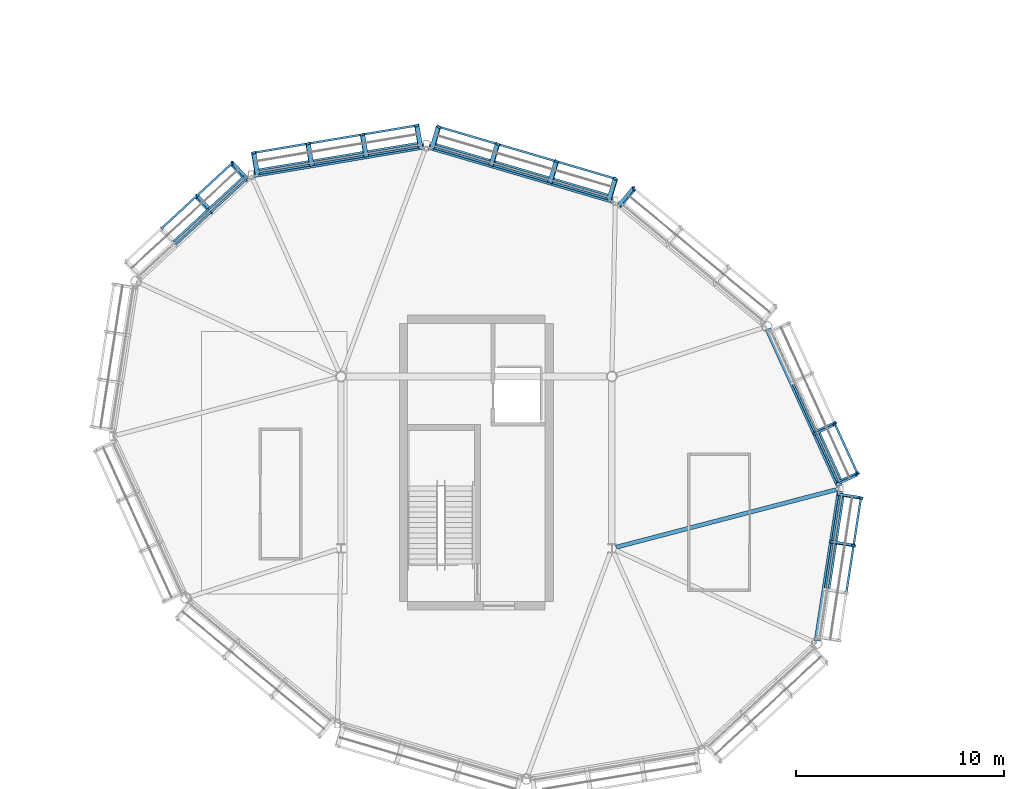
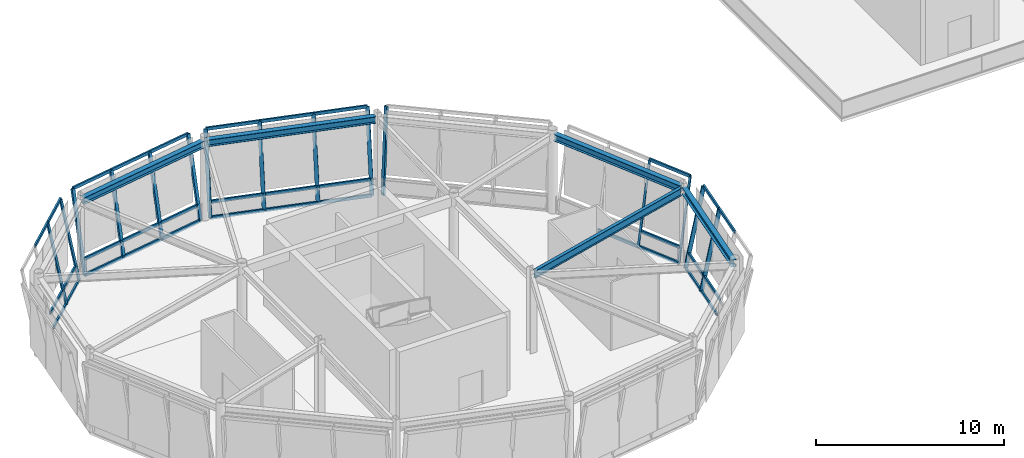
# One storey, part 45 of 90: 49 members, 5 beams, 6 elements without a shape of their own.
"""IFC4 building model written with IfcOpenShell, lengths in metres."""

from ifc_helpers import new_model, si_unit, direction, frame, origin, origin_2d, place, context, subcontext, project, spatial, hollow_rectangle, i_section, extrude, material, material_profile, profile_set, type_object, element, aggregate, save


model = new_model("IFC4")

# Units and contexts
model_context = context("Model", 3, precision=1e-05, world=origin(), true_north=direction((0.0, 1.0)))
body_context = subcontext(model_context, "Body", "Model", "MODEL_VIEW")
ifc_project = project(units=[si_unit("LENGTHUNIT", "METRE"), si_unit("AREAUNIT", "SQUARE_METRE"), si_unit("VOLUMEUNIT", "CUBIC_METRE"), si_unit("PLANEANGLEUNIT", "RADIAN"), si_unit("MASSUNIT", "GRAM", prefix="KILO")], contexts=[model_context])

# Site, building, storey
site_placement = place(None, origin())
site = spatial("IfcSite", under=ifc_project, at=site_placement, CompositionType="ELEMENT")
building_placement = place(site_placement, origin())
building = spatial("IfcBuilding", under=site, at=building_placement, Name="Linyun Crest Stadium", CompositionType="ELEMENT")
storey_placement = place(building_placement, frame((0.0, 0.0, 21.0)))
storey = spatial("IfcBuildingStorey", under=building, at=storey_placement, Name="L05", CompositionType="ELEMENT", Elevation=21.0)

# Beams
ifc_material_1 = material(Name="Steel Q355C", Category="steel")
ifc_material_profile_1 = material_profile(ifc_material_1, i_section(OverallWidth=0.300048828125, OverallDepth=0.43994140625, WebThickness=0.010986328125, FlangeThickness=0.01806640625, at=origin_2d()), Name="HM 440x300")
ifc_profile_set_1 = profile_set([ifc_material_profile_1], Name="Steel Q355C")
beam_type_1 = type_object("IfcBeamType", Name="B07", PredefinedType="BEAM", material=ifc_profile_set_1)
beam_1_placement = place(storey_placement, frame((-57.14697265625, 76.05908203125, 4.929931640625), z_axis=(0.152213453027, 0.988347643655, 0.0), x_axis=(-0.988347643655, 0.152213453027, 0.0)))
element("IfcBeam", 1, at=beam_1_placement, inside=storey, type_object=beam_type_1, Name="Pod ring girder B07 L05 49", PredefinedType="BEAM", context=body_context, shape_type="SweptSolid", body=[
    extrude(i_section(OverallWidth=0.300048828125, OverallDepth=0.43994140625, WebThickness=0.010986328125, FlangeThickness=0.01806640625, at=origin_2d()), origin(), (0.0, 0.0, 1.0), 7.278564453125),
])
beam_2_placement = place(storey_placement, frame((-56.071044921875, 83.48095703125, 4.929931640625), z_axis=(-0.41441702614, 0.910087099373, 0.0), x_axis=(-0.910087099373, -0.41441702614, 0.0)))
element("IfcBeam", 2, at=beam_2_placement, inside=storey, type_object=beam_type_1, Name="Pod ring girder B07 L05 51", PredefinedType="BEAM", context=body_context, shape_type="SweptSolid", body=[
    extrude(i_section(OverallWidth=0.300048828125, OverallDepth=0.43994140625, WebThickness=0.010986328125, FlangeThickness=0.01806640625, at=origin_2d()), origin(), (0.0, 0.0, 1.0), 8.2958984375),
])
beam_3_placement = place(storey_placement, frame((-66.948974609375, 97.197021484375, 4.929931640625), z_axis=(-0.959427571735, 0.281955199623, 0.0), x_axis=(-0.281955199623, -0.959427571735, 0.0)))
element("IfcBeam", 3, at=beam_3_placement, inside=storey, type_object=beam_type_1, Name="Pod ring girder B07 L05 55", PredefinedType="BEAM", context=body_context, shape_type="SweptSolid", body=[
    extrude(i_section(OverallWidth=0.300048828125, OverallDepth=0.43994140625, WebThickness=0.010986328125, FlangeThickness=0.01806640625, at=origin_2d()), origin(), (0.0, 0.0, 1.0), 9.203369140625),
])
beam_4_placement = place(storey_placement, frame((-76.011962890625, 99.805908203125, 4.929931640625), z_axis=(-0.986275969976, -0.165105151487, 0.0), x_axis=(0.165105151487, -0.986275969976, 0.0)))
element("IfcBeam", 4, at=beam_4_placement, inside=storey, type_object=beam_type_1, Name="Pod ring girder B07 L05 57", PredefinedType="BEAM", context=body_context, shape_type="SweptSolid", body=[
    extrude(i_section(OverallWidth=0.300048828125, OverallDepth=0.43994140625, WebThickness=0.010986328125, FlangeThickness=0.01806640625, at=origin_2d()), origin(), (0.0, 0.0, 1.0), 8.296875),
])
ifc_material_2 = material(Name="Steel Q355C", Category="steel")
ifc_material_profile_2 = material_profile(ifc_material_2, i_section(OverallWidth=0.199951171875, OverallDepth=0.5, WebThickness=0.010009765625, FlangeThickness=0.01611328125, at=origin_2d()), Name="HN 500x200")
ifc_profile_set_2 = profile_set([ifc_material_profile_2], Name="Steel Q355C")
beam_type_2 = type_object("IfcBeamType", Name="B10", PredefinedType="BEAM", material=ifc_profile_set_2)
beam_5_placement = place(storey_placement, frame((-66.806884765625, 80.551025390625, 4.89990234375), z_axis=(0.967466930693, 0.252997505948, 0.0), x_axis=(-0.252997505948, 0.967466930693, 0.0)))
element("IfcBeam", 5, at=beam_5_placement, inside=storey, type_object=beam_type_2, Name="Pod radial tie girder B10 L05 52", PredefinedType="BEAM", context=body_context, shape_type="SweptSolid", body=[
    extrude(i_section(OverallWidth=0.199951171875, OverallDepth=0.5, WebThickness=0.010009765625, FlangeThickness=0.01611328125, at=origin_2d()), origin(), (0.0, 0.0, 1.0), 10.928466796875),
])

# Curtain wall, members
ifc_material_3 = material(Name="Verdigris steel and low-E curtain wall assembly", Category="steel")
curtain_wall_type = type_object("IfcCurtainWallType", Name="MCW04", PredefinedType="NOTDEFINED", material=ifc_material_3)
curtain_wall_1_placement = place(storey_placement, origin())
curtain_wall_1 = element("IfcCurtainWall", 6, at=curtain_wall_1_placement, inside=storey, type_object=curtain_wall_type, Name="CWR-013", PredefinedType="NOTDEFINED")
ifc_material_4 = material(Name="Verdigris painted steel Q355C pod mullion", Category="steel")
ifc_material_profile_3 = material_profile(ifc_material_4, hollow_rectangle(XDim=0.1201171875, YDim=0.219970703125, WallThickness=0.008056640625, at=origin_2d()), Name="RHS 220x120x8")
ifc_profile_set_3 = profile_set([ifc_material_profile_3], Name="Verdigris painted steel Q355C pod mullion")
member_type_1 = type_object("IfcMemberType", Name="ML04", PredefinedType="MULLION", material=ifc_profile_set_3)
member_1_placement = place(storey_placement, frame((-56.41796875, 80.7958984375, 0.0), z_axis=(0.197152779984, -0.03040029677, 0.979901323247), x_axis=(-0.297946662121, -0.954100050656, 0.030346002532)))
member_1 = element("IfcMember", 7, at=member_1_placement, type_object=member_type_1, Name="CWR-013 mullion 3", PredefinedType="MULLION", context=body_context, shape_type="SweptSolid", body=[
    extrude(hollow_rectangle(XDim=0.1201171875, YDim=0.219970703125, WallThickness=0.008056640625, at=origin_2d()), origin(), (0.0, 0.0, 1.0), 5.163818359375),
])
member_2_placement = place(storey_placement, frame((-56.06689453125, 83.074951171875, 0.0), z_axis=(0.196925558343, -0.030401712849, 0.97994696812), x_axis=(-0.298126026527, -0.954045105123, 0.030311873873)))
member_2 = element("IfcMember", 8, at=member_2_placement, type_object=member_type_1, Name="CWR-013 mullion 4", PredefinedType="MULLION", context=body_context, shape_type="SweptSolid", body=[
    extrude(hollow_rectangle(XDim=0.1201171875, YDim=0.219970703125, WallThickness=0.008056640625, at=origin_2d()), origin(), (0.0, 0.0, 1.0), 5.16357421875),
])

curtain_wall_2_placement = place(storey_placement, origin())
curtain_wall_2 = element("IfcCurtainWall", 9, at=curtain_wall_2_placement, inside=storey, type_object=curtain_wall_type, Name="CWR-014", PredefinedType="NOTDEFINED")
member_3_placement = place(storey_placement, frame((-56.14501953125, 83.64501953125, 0.0), z_axis=(0.181458861331, 0.08269190945, 0.979915674819), x_axis=(0.747008040281, -0.659655798184, -0.082663266794)))
member_3 = element("IfcMember", 10, at=member_3_placement, type_object=member_type_1, Name="CWR-014 mullion 1", PredefinedType="MULLION", context=body_context, shape_type="SweptSolid", body=[
    extrude(hollow_rectangle(XDim=0.1201171875, YDim=0.219970703125, WallThickness=0.008056640625, at=origin_2d()), origin(), (0.0, 0.0, 1.0), 5.163818359375),
])
member_4_placement = place(storey_placement, frame((-57.241943359375, 86.052001953125, 0.0), z_axis=(0.181458861331, 0.08269190945, 0.979915674819), x_axis=(0.747008040281, -0.659655798184, -0.082663266794)))
member_4 = element("IfcMember", 11, at=member_4_placement, type_object=member_type_1, Name="CWR-014 mullion 2", PredefinedType="MULLION", context=body_context, shape_type="SweptSolid", body=[
    extrude(hollow_rectangle(XDim=0.1201171875, YDim=0.219970703125, WallThickness=0.008056640625, at=origin_2d()), origin(), (0.0, 0.0, 1.0), 5.163818359375),
])

# Curtain wall, member
curtain_wall_3_placement = place(storey_placement, origin())
curtain_wall_3 = element("IfcCurtainWall", 12, at=curtain_wall_3_placement, inside=storey, type_object=curtain_wall_type, Name="CWR-015", PredefinedType="NOTDEFINED")
member_5_placement = place(storey_placement, frame((-66.60302734375, 96.971923828125, 0.0), z_axis=(0.127228985463, 0.153563636115, 0.979913769125), x_axis=(0.972618583127, 0.174402528684, -0.153612661409)))
member_5 = element("IfcMember", 13, at=member_5_placement, type_object=member_type_1, Name="CWR-015 mullion 4", PredefinedType="MULLION", context=body_context, shape_type="SweptSolid", body=[
    extrude(hollow_rectangle(XDim=0.1201171875, YDim=0.219970703125, WallThickness=0.008056640625, at=origin_2d()), origin(), (0.0, 0.0, 1.0), 5.163818359375),
])
aggregate(curtain_wall_3, [member_5])

# Curtain wall, members
curtain_wall_4_placement = place(storey_placement, origin())
curtain_wall_4 = element("IfcCurtainWall", 14, at=curtain_wall_4_placement, inside=storey, type_object=curtain_wall_type, Name="CWR-016", PredefinedType="NOTDEFINED")
member_6_placement = place(storey_placement, frame((-67.1220703125, 97.248046875, 0.0), z_axis=(0.056168070102, 0.191340218605, 0.979915337488), x_axis=(0.535394875779, 0.822647487716, -0.191320249697)))
member_6 = element("IfcMember", 15, at=member_6_placement, type_object=member_type_1, Name="CWR-016 mullion 1", PredefinedType="MULLION", context=body_context, shape_type="SweptSolid", body=[
    extrude(hollow_rectangle(XDim=0.1201171875, YDim=0.219970703125, WallThickness=0.008056640625, at=origin_2d()), origin(), (0.0, 0.0, 1.0), 5.163818359375),
])
member_7_placement = place(storey_placement, frame((-69.949951171875, 98.0791015625, 0.0), z_axis=(0.056168578169, 0.191294669421, 0.979924201292), x_axis=(0.535452219958, 0.822619883242, -0.191278456282)))
member_7 = element("IfcMember", 16, at=member_7_placement, type_object=member_type_1, Name="CWR-016 mullion 2", PredefinedType="MULLION", context=body_context, shape_type="SweptSolid", body=[
    extrude(hollow_rectangle(XDim=0.1201171875, YDim=0.219970703125, WallThickness=0.008056640625, at=origin_2d()), origin(), (0.0, 0.0, 1.0), 5.163818359375),
])
member_8_placement = place(storey_placement, frame((-72.778076171875, 98.909912109375, 0.0), z_axis=(0.056168070102, 0.191340218605, 0.979915337488), x_axis=(0.535394875779, 0.822647487716, -0.191320249697)))
member_8 = element("IfcMember", 17, at=member_8_placement, type_object=member_type_1, Name="CWR-016 mullion 3", PredefinedType="MULLION", context=body_context, shape_type="SweptSolid", body=[
    extrude(hollow_rectangle(XDim=0.1201171875, YDim=0.219970703125, WallThickness=0.008056640625, at=origin_2d()), origin(), (0.0, 0.0, 1.0), 5.163818359375),
])
member_9_placement = place(storey_placement, frame((-75.60595703125, 99.740966796875, 0.0), z_axis=(0.056168070102, 0.191340218605, 0.979915337488), x_axis=(0.535394875779, 0.822647487716, -0.191320249697)))
member_9 = element("IfcMember", 18, at=member_9_placement, type_object=member_type_1, Name="CWR-016 mullion 4", PredefinedType="MULLION", context=body_context, shape_type="SweptSolid", body=[
    extrude(hollow_rectangle(XDim=0.1201171875, YDim=0.219970703125, WallThickness=0.008056640625, at=origin_2d()), origin(), (0.0, 0.0, 1.0), 5.163818359375),
])

curtain_wall_5_placement = place(storey_placement, origin())
curtain_wall_5 = element("IfcCurtainWall", 19, at=curtain_wall_5_placement, inside=storey, type_object=curtain_wall_type, Name="CWR-017", PredefinedType="NOTDEFINED")
member_10_placement = place(storey_placement, frame((-76.18994140625, 99.77587890625, 0.0), z_axis=(-0.032954370027, 0.19659149293, 0.979931525365), x_axis=(-0.322558975368, 0.925907063302, -0.196600654976)))
member_10 = element("IfcMember", 20, at=member_10_placement, type_object=member_type_1, Name="CWR-017 mullion 1", PredefinedType="MULLION", context=body_context, shape_type="SweptSolid", body=[
    extrude(hollow_rectangle(XDim=0.1201171875, YDim=0.219970703125, WallThickness=0.008056640625, at=origin_2d()), origin(), (0.0, 0.0, 1.0), 5.16357421875),
])
member_11_placement = place(storey_placement, frame((-78.799072265625, 99.339111328125, 0.0), z_axis=(-0.03290622306, 0.196728152516, 0.979905717144), x_axis=(-0.322229454544, 0.925995226234, -0.196725747212)))
member_11 = element("IfcMember", 21, at=member_11_placement, type_object=member_type_1, Name="CWR-017 mullion 2", PredefinedType="MULLION", context=body_context, shape_type="SweptSolid", body=[
    extrude(hollow_rectangle(XDim=0.1201171875, YDim=0.219970703125, WallThickness=0.008056640625, at=origin_2d()), origin(), (0.0, 0.0, 1.0), 5.163818359375),
])
member_12_placement = place(storey_placement, frame((-81.407958984375, 98.903076171875, 0.0), z_axis=(-0.032907446798, 0.196546345318, 0.979942158542), x_axis=(-0.322380364555, 0.925980213076, -0.196549091937)))
member_12 = element("IfcMember", 22, at=member_12_placement, type_object=member_type_1, Name="CWR-017 mullion 3", PredefinedType="MULLION", context=body_context, shape_type="SweptSolid", body=[
    extrude(hollow_rectangle(XDim=0.1201171875, YDim=0.219970703125, WallThickness=0.008056640625, at=origin_2d()), origin(), (0.0, 0.0, 1.0), 5.16357421875),
])
member_13_placement = place(storey_placement, frame((-84.01708984375, 98.466064453125, 0.0), z_axis=(-0.032907446798, 0.196546345318, 0.979942158542), x_axis=(-0.322380364555, 0.925980213076, -0.196549091937)))
member_13 = element("IfcMember", 23, at=member_13_placement, type_object=member_type_1, Name="CWR-017 mullion 4", PredefinedType="MULLION", context=body_context, shape_type="SweptSolid", body=[
    extrude(hollow_rectangle(XDim=0.1201171875, YDim=0.219970703125, WallThickness=0.008056640625, at=origin_2d()), origin(), (0.0, 0.0, 1.0), 5.16357421875),
])

curtain_wall_6_placement = place(storey_placement, origin())
curtain_wall_6 = element("IfcCurtainWall", 24, at=curtain_wall_6_placement, inside=storey, type_object=curtain_wall_type, Name="CWR-018", PredefinedType="NOTDEFINED")
member_14_placement = place(storey_placement, frame((-84.532958984375, 98.2119140625, 0.0), z_axis=(-0.135361474609, 0.146424899359, 0.979916843431), x_axis=(-0.986908625049, 0.067601716687, -0.146428732514)))
member_14 = element("IfcMember", 25, at=member_14_placement, type_object=member_type_1, Name="CWR-018 mullion 1", PredefinedType="MULLION", context=body_context, shape_type="SweptSolid", body=[
    extrude(hollow_rectangle(XDim=0.1201171875, YDim=0.219970703125, WallThickness=0.008056640625, at=origin_2d()), origin(), (0.0, 0.0, 1.0), 5.163818359375),
])
member_15_placement = place(storey_placement, frame((-86.22705078125, 96.64599609375, 0.0), z_axis=(-0.135361474609, 0.146424899359, 0.979916843431), x_axis=(-0.986908625049, 0.067601716687, -0.146428732514)))
member_15 = element("IfcMember", 26, at=member_15_placement, type_object=member_type_1, Name="CWR-018 mullion 2", PredefinedType="MULLION", context=body_context, shape_type="SweptSolid", body=[
    extrude(hollow_rectangle(XDim=0.1201171875, YDim=0.219970703125, WallThickness=0.008056640625, at=origin_2d()), origin(), (0.0, 0.0, 1.0), 5.163818359375),
])

# Member
ifc_material_5 = material(Name="Verdigris painted steel Q355C transom", Category="steel")
ifc_material_profile_4 = material_profile(ifc_material_5, hollow_rectangle(XDim=0.10009765625, YDim=0.199951171875, WallThickness=0.008056640625, at=origin_2d()), Name="RHS 200x100x8")
ifc_profile_set_4 = profile_set([ifc_material_profile_4], Name="Verdigris painted steel Q355C transom")
member_type_2 = type_object("IfcMemberType", Name="TR03", PredefinedType="USERDEFINED", material=ifc_profile_set_4)
member_16_placement = place(storey_placement, frame((-56.76806640625, 78.51611328125, 0.0), z_axis=(0.15178674483, 0.988413265843, 0.0), x_axis=(-0.988413265843, 0.15178674483, 0.0)))
member_16 = element("IfcMember", 27, at=member_16_placement, type_object=member_type_2, Name="CWR-013 transom 2.1", ObjectType="TRANSOM", PredefinedType="USERDEFINED", context=body_context, shape_type="SweptSolid", body=[
    extrude(hollow_rectangle(XDim=0.10009765625, YDim=0.199951171875, WallThickness=0.008056640625, at=origin_2d()), origin(), (0.0, 0.0, 1.0), 2.306396484375),
])

member_17_placement = place(storey_placement, frame((-56.5869140625, 78.488037109375, 0.89990234375), z_axis=(0.151667464216, 0.988431575931, 0.0), x_axis=(-0.988431575931, 0.151667464216, 0.0)))
member_17 = element("IfcMember", 28, at=member_17_placement, type_object=member_type_2, Name="CWR-013 transom 2.2", ObjectType="TRANSOM", PredefinedType="USERDEFINED", context=body_context, shape_type="SweptSolid", body=[
    extrude(hollow_rectangle(XDim=0.10009765625, YDim=0.199951171875, WallThickness=0.008056640625, at=origin_2d()), origin(), (0.0, 0.0, 1.0), 2.306640625),
])

member_18_placement = place(storey_placement, frame((-55.7509765625, 78.360107421875, 5.06005859375), z_axis=(0.152264056445, 0.988339848997, 0.0), x_axis=(-0.988339848997, 0.152264056445, 0.0)))
member_18 = element("IfcMember", 29, at=member_18_placement, type_object=member_type_2, Name="CWR-013 transom 2.3", ObjectType="TRANSOM", PredefinedType="USERDEFINED", context=body_context, shape_type="SweptSolid", body=[
    extrude(hollow_rectangle(XDim=0.10009765625, YDim=0.199951171875, WallThickness=0.008056640625, at=origin_2d()), origin(), (0.0, 0.0, 1.0), 2.3056640625),
])

member_19_placement = place(storey_placement, frame((-56.41796875, 80.7958984375, 0.0), z_axis=(0.152248123454, 0.988342303509, 0.0), x_axis=(-0.988342303509, 0.152248123454, 0.0)))
member_19 = element("IfcMember", 30, at=member_19_placement, type_object=member_type_2, Name="CWR-013 transom 3.1", ObjectType="TRANSOM", PredefinedType="USERDEFINED", context=body_context, shape_type="SweptSolid", body=[
    extrude(hollow_rectangle(XDim=0.10009765625, YDim=0.199951171875, WallThickness=0.008056640625, at=origin_2d()), origin(), (0.0, 0.0, 1.0), 2.305908203125),
])

member_20_placement = place(storey_placement, frame((-56.237060546875, 80.76806640625, 0.89990234375), z_axis=(0.152248123454, 0.988342303509, 0.0), x_axis=(-0.988342303509, 0.152248123454, 0.0)))
member_20 = element("IfcMember", 31, at=member_20_placement, type_object=member_type_2, Name="CWR-013 transom 3.2", ObjectType="TRANSOM", PredefinedType="USERDEFINED", context=body_context, shape_type="SweptSolid", body=[
    extrude(hollow_rectangle(XDim=0.10009765625, YDim=0.199951171875, WallThickness=0.008056640625, at=origin_2d()), origin(), (0.0, 0.0, 1.0), 2.305908203125),
])

member_21_placement = place(storey_placement, frame((-55.39990234375, 80.638916015625, 5.06005859375), z_axis=(0.151730957076, 0.988421831338, 0.0), x_axis=(-0.988421831338, 0.151730957076, 0.0)))
member_21 = element("IfcMember", 32, at=member_21_placement, type_object=member_type_2, Name="CWR-013 transom 3.3", ObjectType="TRANSOM", PredefinedType="USERDEFINED", context=body_context, shape_type="SweptSolid", body=[
    extrude(hollow_rectangle(XDim=0.10009765625, YDim=0.199951171875, WallThickness=0.008056640625, at=origin_2d()), origin(), (0.0, 0.0, 1.0), 2.3056640625),
])

aggregate(curtain_wall_1, [member_1, member_2, member_16, member_17, member_18, member_19, member_20, member_21])

member_22_placement = place(storey_placement, frame((-56.14501953125, 83.64501953125, 0.0), z_axis=(-0.414692848815, 0.90996145036, 0.0), x_axis=(-0.90996145036, -0.414692848815, 0.0)))
member_22 = element("IfcMember", 33, at=member_22_placement, type_object=member_type_2, Name="CWR-014 transom 1.1", ObjectType="TRANSOM", PredefinedType="USERDEFINED", context=body_context, shape_type="SweptSolid", body=[
    extrude(hollow_rectangle(XDim=0.10009765625, YDim=0.199951171875, WallThickness=0.008056640625, at=origin_2d()), origin(), (0.0, 0.0, 1.0), 2.645263671875),
])

member_23_placement = place(storey_placement, frame((-55.97802734375, 83.720947265625, 0.89990234375), z_axis=(-0.414692848815, 0.90996145036, 0.0), x_axis=(-0.90996145036, -0.414692848815, 0.0)))
member_23 = element("IfcMember", 34, at=member_23_placement, type_object=member_type_2, Name="CWR-014 transom 1.2", ObjectType="TRANSOM", PredefinedType="USERDEFINED", context=body_context, shape_type="SweptSolid", body=[
    extrude(hollow_rectangle(XDim=0.10009765625, YDim=0.199951171875, WallThickness=0.008056640625, at=origin_2d()), origin(), (0.0, 0.0, 1.0), 2.645263671875),
])

member_24_placement = place(storey_placement, frame((-55.2080078125, 84.072021484375, 5.06005859375), z_axis=(-0.414692848815, 0.90996145036, 0.0), x_axis=(-0.90996145036, -0.414692848815, 0.0)))
member_24 = element("IfcMember", 35, at=member_24_placement, type_object=member_type_2, Name="CWR-014 transom 1.3", ObjectType="TRANSOM", PredefinedType="USERDEFINED", context=body_context, shape_type="SweptSolid", body=[
    extrude(hollow_rectangle(XDim=0.10009765625, YDim=0.199951171875, WallThickness=0.008056640625, at=origin_2d()), origin(), (0.0, 0.0, 1.0), 2.645263671875),
])

member_25_placement = place(storey_placement, frame((-57.241943359375, 86.052001953125, 0.0), z_axis=(-0.414247864609, 0.910164109744, 0.0), x_axis=(-0.910164109744, -0.414247864609, 0.0)))
member_25 = element("IfcMember", 36, at=member_25_placement, type_object=member_type_2, Name="CWR-014 transom 2.1", ObjectType="TRANSOM", PredefinedType="USERDEFINED", context=body_context, shape_type="SweptSolid", body=[
    extrude(hollow_rectangle(XDim=0.10009765625, YDim=0.199951171875, WallThickness=0.008056640625, at=origin_2d()), origin(), (0.0, 0.0, 1.0), 2.645751953125),
])

aggregate(curtain_wall_2, [member_3, member_4, member_22, member_23, member_24, member_25])

member_26_placement = place(storey_placement, frame((-67.1220703125, 97.248046875, 0.0), z_axis=(-0.959427469513, 0.28195554746, 0.0), x_axis=(-0.28195554746, -0.959427469513, 0.0)))
member_26 = element("IfcMember", 37, at=member_26_placement, type_object=member_type_2, Name="CWR-016 transom 1.1", ObjectType="TRANSOM", PredefinedType="USERDEFINED", context=body_context, shape_type="SweptSolid", body=[
    extrude(hollow_rectangle(XDim=0.10009765625, YDim=0.199951171875, WallThickness=0.008056640625, at=origin_2d()), origin(), (0.0, 0.0, 1.0), 2.947509765625),
])

member_27_placement = place(storey_placement, frame((-67.070068359375, 97.424072265625, 0.89990234375), z_axis=(-0.959449874016, 0.281879299083, 0.0), x_axis=(-0.281879299083, -0.959449874016, 0.0)))
member_27 = element("IfcMember", 38, at=member_27_placement, type_object=member_type_2, Name="CWR-016 transom 1.2", ObjectType="TRANSOM", PredefinedType="USERDEFINED", context=body_context, shape_type="SweptSolid", body=[
    extrude(hollow_rectangle(XDim=0.10009765625, YDim=0.199951171875, WallThickness=0.008056640625, at=origin_2d()), origin(), (0.0, 0.0, 1.0), 2.947509765625),
])

member_28_placement = place(storey_placement, frame((-66.83203125, 98.236083984375, 5.06005859375), z_axis=(-0.959449874016, 0.281879299083, 0.0), x_axis=(-0.281879299083, -0.959449874016, 0.0)))
member_28 = element("IfcMember", 39, at=member_28_placement, type_object=member_type_2, Name="CWR-016 transom 1.3", ObjectType="TRANSOM", PredefinedType="USERDEFINED", context=body_context, shape_type="SweptSolid", body=[
    extrude(hollow_rectangle(XDim=0.10009765625, YDim=0.199951171875, WallThickness=0.008056640625, at=origin_2d()), origin(), (0.0, 0.0, 1.0), 2.947509765625),
])

member_29_placement = place(storey_placement, frame((-69.949951171875, 98.0791015625, 0.0), z_axis=(-0.959456454772, 0.281856898791, 0.0), x_axis=(-0.281856898791, -0.959456454772, 0.0)))
member_29 = element("IfcMember", 40, at=member_29_placement, type_object=member_type_2, Name="CWR-016 transom 2.1", ObjectType="TRANSOM", PredefinedType="USERDEFINED", context=body_context, shape_type="SweptSolid", body=[
    extrude(hollow_rectangle(XDim=0.10009765625, YDim=0.199951171875, WallThickness=0.008056640625, at=origin_2d()), origin(), (0.0, 0.0, 1.0), 2.94775390625),
])

member_30_placement = place(storey_placement, frame((-69.89794921875, 98.2548828125, 0.89990234375), z_axis=(-0.959434053677, 0.281933142154, 0.0), x_axis=(-0.281933142154, -0.959434053677, 0.0)))
member_30 = element("IfcMember", 41, at=member_30_placement, type_object=member_type_2, Name="CWR-016 transom 2.2", ObjectType="TRANSOM", PredefinedType="USERDEFINED", context=body_context, shape_type="SweptSolid", body=[
    extrude(hollow_rectangle(XDim=0.10009765625, YDim=0.199951171875, WallThickness=0.008056640625, at=origin_2d()), origin(), (0.0, 0.0, 1.0), 2.94775390625),
])

member_31_placement = place(storey_placement, frame((-69.659912109375, 99.06689453125, 5.06005859375), z_axis=(-0.959434053677, 0.281933142154, 0.0), x_axis=(-0.281933142154, -0.959434053677, 0.0)))
member_31 = element("IfcMember", 42, at=member_31_placement, type_object=member_type_2, Name="CWR-016 transom 2.3", ObjectType="TRANSOM", PredefinedType="USERDEFINED", context=body_context, shape_type="SweptSolid", body=[
    extrude(hollow_rectangle(XDim=0.10009765625, YDim=0.199951171875, WallThickness=0.008056640625, at=origin_2d()), origin(), (0.0, 0.0, 1.0), 2.94775390625),
])

member_32_placement = place(storey_placement, frame((-72.778076171875, 98.909912109375, 0.0), z_axis=(-0.959427469513, 0.28195554746, 0.0), x_axis=(-0.28195554746, -0.959427469513, 0.0)))
member_32 = element("IfcMember", 43, at=member_32_placement, type_object=member_type_2, Name="CWR-016 transom 3.1", ObjectType="TRANSOM", PredefinedType="USERDEFINED", context=body_context, shape_type="SweptSolid", body=[
    extrude(hollow_rectangle(XDim=0.10009765625, YDim=0.199951171875, WallThickness=0.008056640625, at=origin_2d()), origin(), (0.0, 0.0, 1.0), 2.947509765625),
])

member_33_placement = place(storey_placement, frame((-72.72607421875, 99.0859375, 0.89990234375), z_axis=(-0.959427469513, 0.28195554746, 0.0), x_axis=(-0.28195554746, -0.959427469513, 0.0)))
member_33 = element("IfcMember", 44, at=member_33_placement, type_object=member_type_2, Name="CWR-016 transom 3.2", ObjectType="TRANSOM", PredefinedType="USERDEFINED", context=body_context, shape_type="SweptSolid", body=[
    extrude(hollow_rectangle(XDim=0.10009765625, YDim=0.199951171875, WallThickness=0.008056640625, at=origin_2d()), origin(), (0.0, 0.0, 1.0), 2.947509765625),
])

member_34_placement = place(storey_placement, frame((-72.488037109375, 99.89794921875, 5.06005859375), z_axis=(-0.959427469513, 0.28195554746, 0.0), x_axis=(-0.28195554746, -0.959427469513, 0.0)))
member_34 = element("IfcMember", 45, at=member_34_placement, type_object=member_type_2, Name="CWR-016 transom 3.3", ObjectType="TRANSOM", PredefinedType="USERDEFINED", context=body_context, shape_type="SweptSolid", body=[
    extrude(hollow_rectangle(XDim=0.10009765625, YDim=0.199951171875, WallThickness=0.008056640625, at=origin_2d()), origin(), (0.0, 0.0, 1.0), 2.947509765625),
])

aggregate(curtain_wall_4, [member_6, member_7, member_8, member_9, member_26, member_27, member_28, member_29, member_30, member_31, member_32, member_33, member_34])

member_35_placement = place(storey_placement, frame((-76.18994140625, 99.77587890625, 0.0), z_axis=(-0.986276442989, -0.165102325864, 0.0), x_axis=(0.165102325864, -0.986276442989, 0.0)))
member_35 = element("IfcMember", 46, at=member_35_placement, type_object=member_type_2, Name="CWR-017 transom 1.1", ObjectType="TRANSOM", PredefinedType="USERDEFINED", context=body_context, shape_type="SweptSolid", body=[
    extrude(hollow_rectangle(XDim=0.10009765625, YDim=0.199951171875, WallThickness=0.008056640625, at=origin_2d()), origin(), (0.0, 0.0, 1.0), 2.6455078125),
])

member_36_placement = place(storey_placement, frame((-76.219970703125, 99.95703125, 0.89990234375), z_axis=(-0.986261411357, -0.165192095661, 0.0), x_axis=(0.165192095661, -0.986261411357, 0.0)))
member_36 = element("IfcMember", 47, at=member_36_placement, type_object=member_type_2, Name="CWR-017 transom 1.2", ObjectType="TRANSOM", PredefinedType="USERDEFINED", context=body_context, shape_type="SweptSolid", body=[
    extrude(hollow_rectangle(XDim=0.10009765625, YDim=0.199951171875, WallThickness=0.008056640625, at=origin_2d()), origin(), (0.0, 0.0, 1.0), 2.6455078125),
])

member_37_placement = place(storey_placement, frame((-76.360107421875, 100.791015625, 5.06005859375), z_axis=(-0.986318983701, -0.164847997837, 0.0), x_axis=(0.164847997837, -0.986318983701, 0.0)))
member_37 = element("IfcMember", 48, at=member_37_placement, type_object=member_type_2, Name="CWR-017 transom 1.3", ObjectType="TRANSOM", PredefinedType="USERDEFINED", context=body_context, shape_type="SweptSolid", body=[
    extrude(hollow_rectangle(XDim=0.10009765625, YDim=0.199951171875, WallThickness=0.008056640625, at=origin_2d()), origin(), (0.0, 0.0, 1.0), 2.64501953125),
])

member_38_placement = place(storey_placement, frame((-78.799072265625, 99.339111328125, 0.0), z_axis=(-0.986318983701, -0.164847997837, 0.0), x_axis=(0.164847997837, -0.986318983701, 0.0)))
member_38 = element("IfcMember", 49, at=member_38_placement, type_object=member_type_2, Name="CWR-017 transom 2.1", ObjectType="TRANSOM", PredefinedType="USERDEFINED", context=body_context, shape_type="SweptSolid", body=[
    extrude(hollow_rectangle(XDim=0.10009765625, YDim=0.199951171875, WallThickness=0.008056640625, at=origin_2d()), origin(), (0.0, 0.0, 1.0), 2.64501953125),
])

member_39_placement = place(storey_placement, frame((-78.8291015625, 99.52001953125, 0.89990234375), z_axis=(-0.98625889267, -0.165207132499, 0.0), x_axis=(0.165207132499, -0.98625889267, 0.0)))
member_39 = element("IfcMember", 50, at=member_39_placement, type_object=member_type_2, Name="CWR-017 transom 2.2", ObjectType="TRANSOM", PredefinedType="USERDEFINED", context=body_context, shape_type="SweptSolid", body=[
    extrude(hollow_rectangle(XDim=0.10009765625, YDim=0.199951171875, WallThickness=0.008056640625, at=origin_2d()), origin(), (0.0, 0.0, 1.0), 2.645263671875),
])

member_40_placement = place(storey_placement, frame((-78.968994140625, 100.35498046875, 5.06005859375), z_axis=(-0.98625889267, -0.165207132499, 0.0), x_axis=(0.165207132499, -0.98625889267, 0.0)))
member_40 = element("IfcMember", 51, at=member_40_placement, type_object=member_type_2, Name="CWR-017 transom 2.3", ObjectType="TRANSOM", PredefinedType="USERDEFINED", context=body_context, shape_type="SweptSolid", body=[
    extrude(hollow_rectangle(XDim=0.10009765625, YDim=0.199951171875, WallThickness=0.008056640625, at=origin_2d()), origin(), (0.0, 0.0, 1.0), 2.645263671875),
])

member_41_placement = place(storey_placement, frame((-81.407958984375, 98.903076171875, 0.0), z_axis=(-0.986261411357, -0.165192095661, 0.0), x_axis=(0.165192095661, -0.986261411357, 0.0)))
member_41 = element("IfcMember", 52, at=member_41_placement, type_object=member_type_2, Name="CWR-017 transom 3.1", ObjectType="TRANSOM", PredefinedType="USERDEFINED", context=body_context, shape_type="SweptSolid", body=[
    extrude(hollow_rectangle(XDim=0.10009765625, YDim=0.199951171875, WallThickness=0.008056640625, at=origin_2d()), origin(), (0.0, 0.0, 1.0), 2.6455078125),
])

member_42_placement = place(storey_placement, frame((-81.43798828125, 99.0830078125, 0.89990234375), z_axis=(-0.986321491601, -0.164832991859, 0.0), x_axis=(0.164832991859, -0.986321491601, 0.0)))
member_42 = element("IfcMember", 53, at=member_42_placement, type_object=member_type_2, Name="CWR-017 transom 3.2", ObjectType="TRANSOM", PredefinedType="USERDEFINED", context=body_context, shape_type="SweptSolid", body=[
    extrude(hollow_rectangle(XDim=0.10009765625, YDim=0.199951171875, WallThickness=0.008056640625, at=origin_2d()), origin(), (0.0, 0.0, 1.0), 2.645263671875),
])

member_43_placement = place(storey_placement, frame((-81.577880859375, 99.91796875, 5.06005859375), z_axis=(-0.986261411357, -0.165192095661, 0.0), x_axis=(0.165192095661, -0.986261411357, 0.0)))
member_43 = element("IfcMember", 54, at=member_43_placement, type_object=member_type_2, Name="CWR-017 transom 3.3", ObjectType="TRANSOM", PredefinedType="USERDEFINED", context=body_context, shape_type="SweptSolid", body=[
    extrude(hollow_rectangle(XDim=0.10009765625, YDim=0.199951171875, WallThickness=0.008056640625, at=origin_2d()), origin(), (0.0, 0.0, 1.0), 2.6455078125),
])

aggregate(curtain_wall_5, [member_10, member_11, member_12, member_13, member_35, member_36, member_37, member_38, member_39, member_40, member_41, member_42, member_43])

member_44_placement = place(storey_placement, frame((-84.532958984375, 98.2119140625, 0.0), z_axis=(-0.734340741023, -0.678781022182, 0.0), x_axis=(0.678781022182, -0.734340741023, 0.0)))
member_44 = element("IfcMember", 55, at=member_44_placement, type_object=member_type_2, Name="CWR-018 transom 1.1", ObjectType="TRANSOM", PredefinedType="USERDEFINED", context=body_context, shape_type="SweptSolid", body=[
    extrude(hollow_rectangle(XDim=0.10009765625, YDim=0.199951171875, WallThickness=0.008056640625, at=origin_2d()), origin(), (0.0, 0.0, 1.0), 2.306884765625),
])

member_45_placement = place(storey_placement, frame((-84.656982421875, 98.345947265625, 0.89990234375), z_axis=(-0.734340741023, -0.678781022182, 0.0), x_axis=(0.678781022182, -0.734340741023, 0.0)))
member_45 = element("IfcMember", 56, at=member_45_placement, type_object=member_type_2, Name="CWR-018 transom 1.2", ObjectType="TRANSOM", PredefinedType="USERDEFINED", context=body_context, shape_type="SweptSolid", body=[
    extrude(hollow_rectangle(XDim=0.10009765625, YDim=0.199951171875, WallThickness=0.008056640625, at=origin_2d()), origin(), (0.0, 0.0, 1.0), 2.306884765625),
])

member_46_placement = place(storey_placement, frame((-85.23193359375, 98.968017578125, 5.06005859375), z_axis=(-0.734340741023, -0.678781022182, 0.0), x_axis=(0.678781022182, -0.734340741023, 0.0)))
member_46 = element("IfcMember", 57, at=member_46_placement, type_object=member_type_2, Name="CWR-018 transom 1.3", ObjectType="TRANSOM", PredefinedType="USERDEFINED", context=body_context, shape_type="SweptSolid", body=[
    extrude(hollow_rectangle(XDim=0.10009765625, YDim=0.199951171875, WallThickness=0.008056640625, at=origin_2d()), origin(), (0.0, 0.0, 1.0), 2.306884765625),
])

member_47_placement = place(storey_placement, frame((-86.22705078125, 96.64599609375, 0.0), z_axis=(-0.73429197574, -0.678833775208, 0.0), x_axis=(0.678833775208, -0.73429197574, 0.0)))
member_47 = element("IfcMember", 58, at=member_47_placement, type_object=member_type_2, Name="CWR-018 transom 2.1", ObjectType="TRANSOM", PredefinedType="USERDEFINED", context=body_context, shape_type="SweptSolid", body=[
    extrude(hollow_rectangle(XDim=0.10009765625, YDim=0.199951171875, WallThickness=0.008056640625, at=origin_2d()), origin(), (0.0, 0.0, 1.0), 2.306884765625),
])

member_48_placement = place(storey_placement, frame((-86.35107421875, 96.780029296875, 0.89990234375), z_axis=(-0.73429197574, -0.678833775208, 0.0), x_axis=(0.678833775208, -0.73429197574, 0.0)))
member_48 = element("IfcMember", 59, at=member_48_placement, type_object=member_type_2, Name="CWR-018 transom 2.2", ObjectType="TRANSOM", PredefinedType="USERDEFINED", context=body_context, shape_type="SweptSolid", body=[
    extrude(hollow_rectangle(XDim=0.10009765625, YDim=0.199951171875, WallThickness=0.008056640625, at=origin_2d()), origin(), (0.0, 0.0, 1.0), 2.306884765625),
])

member_49_placement = place(storey_placement, frame((-86.926025390625, 97.402099609375, 5.06005859375), z_axis=(-0.734287991916, -0.678838084471, 0.0), x_axis=(0.678838084471, -0.734287991916, 0.0)))
member_49 = element("IfcMember", 60, at=member_49_placement, type_object=member_type_2, Name="CWR-018 transom 2.3", ObjectType="TRANSOM", PredefinedType="USERDEFINED", context=body_context, shape_type="SweptSolid", body=[
    extrude(hollow_rectangle(XDim=0.10009765625, YDim=0.199951171875, WallThickness=0.008056640625, at=origin_2d()), origin(), (0.0, 0.0, 1.0), 2.30712890625),
])

aggregate(curtain_wall_6, [member_14, member_15, member_44, member_45, member_46, member_47, member_48, member_49])

save(model, "model.ifc")
